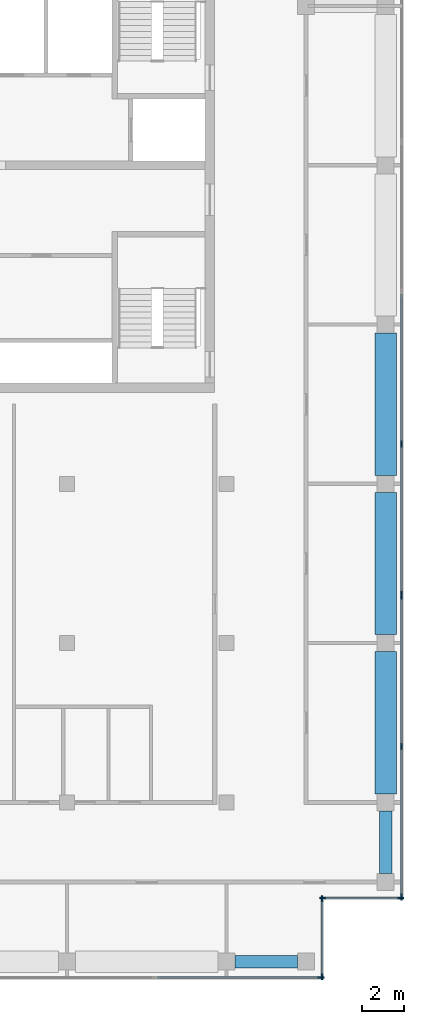
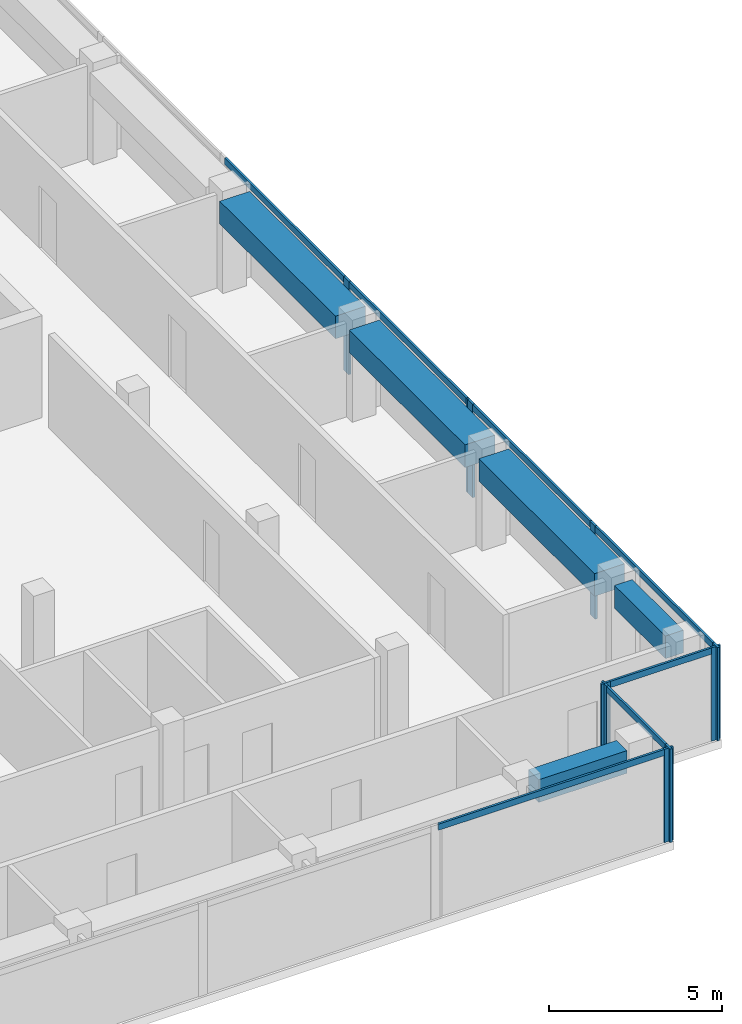
# One storey, part 3 of 9: 17 members, 5 beams, 5 elements without a shape of their own.
"""IFC4 building model written with IfcOpenShell, lengths in metres."""

from ifc_helpers import new_model, si_unit, direction, frame, origin, origin_2d, place, context, subcontext, project, spatial, rectangle, extrude, material, material_profile, profile_set, type_object, element, aggregate, save


model = new_model("IFC4")

# Units and contexts
model_context = context("Model", 3, precision=1e-05, world=origin(), true_north=direction((0.0, 1.0)))
body_context = subcontext(model_context, "Body", "Model", "MODEL_VIEW")
ifc_project = project(units=[si_unit("LENGTHUNIT", "METRE"), si_unit("AREAUNIT", "SQUARE_METRE"), si_unit("VOLUMEUNIT", "CUBIC_METRE"), si_unit("PLANEANGLEUNIT", "RADIAN"), si_unit("MASSUNIT", "GRAM", prefix="KILO")], contexts=[model_context])

# Site, building, storey
site_placement = place(None, origin())
site = spatial("IfcSite", under=ifc_project, at=site_placement, CompositionType="ELEMENT")
building_placement = place(site_placement, origin())
building = spatial("IfcBuilding", under=site, at=building_placement, Name="Pilkhan Gate Tower", CompositionType="ELEMENT")
storey_placement = place(building_placement, frame((0.0, 0.0, 262.10009765625)))
storey = spatial("IfcBuildingStorey", under=building, at=storey_placement, Name="L68", CompositionType="ELEMENT", Elevation=262.10009765625)

# Curtain wall, members
ifc_material_1 = material(Name="Pale anodised aluminium, clear low-iron double glazing", Category="aluminium")
curtain_wall_type = type_object("IfcCurtainWallType", Name="Crown unitised curtain wall CW-C", PredefinedType="USERDEFINED", material=ifc_material_1)
curtain_wall_1_placement = place(storey_placement, origin())
curtain_wall_1 = element("IfcCurtainWall", 1, at=curtain_wall_1_placement, inside=storey, type_object=curtain_wall_type, Name="Crown unitised curtain wall CW-C L68 E", ObjectType="UNITISED CURTAIN WALL", PredefinedType="USERDEFINED")
ifc_material_2 = material(Name="Pale anodised aluminium", Category="aluminium")
ifc_material_profile_1 = material_profile(ifc_material_2, rectangle(XDim=0.074951171875, YDim=0.300048828125, at=origin_2d()), Name="Mullion 300x75")
ifc_profile_set_1 = profile_set([ifc_material_profile_1], Name="Pale anodised aluminium")
member_type_1 = type_object("IfcMemberType", Name="Mullion CW-C 300x75", PredefinedType="MULLION", material=ifc_profile_set_1)
member_1_placement = place(storey_placement, frame((98.25, 48.03759765625, 0.0), z_axis=(0.0, 0.0, 1.0), x_axis=(-1.0, 0.0, 0.0)))
member_1 = element("IfcMember", 2, at=member_1_placement, type_object=member_type_1, Name="CW-C mullion 1", PredefinedType="MULLION", context=body_context, shape_type="SweptSolid", body=[
    extrude(rectangle(XDim=0.074951171875, YDim=0.300048828125, at=origin_2d()), origin(), (0.0, 0.0, 1.0), 3.2998046875),
])
member_2_placement = place(storey_placement, frame((98.25, 55.125, 0.0), z_axis=(0.0, 0.0, 1.0), x_axis=(-1.0, 0.0, 0.0)))
member_2 = element("IfcMember", 3, at=member_2_placement, type_object=member_type_1, Name="CW-C mullion 2", PredefinedType="MULLION", context=body_context, shape_type="SweptSolid", body=[
    extrude(rectangle(XDim=0.074951171875, YDim=0.300048828125, at=origin_2d()), origin(), (0.0, 0.0, 1.0), 3.2998046875),
])
member_3_placement = place(storey_placement, frame((98.25, 62.21240234375, 0.0), z_axis=(0.0, 0.0, 1.0), x_axis=(-1.0, 0.0, 0.0)))
member_3 = element("IfcMember", 4, at=member_3_placement, type_object=member_type_1, Name="CW-C mullion 3", PredefinedType="MULLION", context=body_context, shape_type="SweptSolid", body=[
    extrude(rectangle(XDim=0.074951171875, YDim=0.300048828125, at=origin_2d()), origin(), (0.0, 0.0, 1.0), 3.2998046875),
])

curtain_wall_2_placement = place(storey_placement, origin())
curtain_wall_2 = element("IfcCurtainWall", 5, at=curtain_wall_2_placement, inside=storey, type_object=curtain_wall_type, Name="Crown unitised curtain wall CW-C L68 E", ObjectType="UNITISED CURTAIN WALL", PredefinedType="USERDEFINED")
member_4_placement = place(storey_placement, frame((98.25, 62.28759765625, 0.0), z_axis=(0.0, 0.0, 1.0), x_axis=(-1.0, 0.0, 0.0)))
member_4 = element("IfcMember", 6, at=member_4_placement, type_object=member_type_1, Name="CW-C mullion 1", PredefinedType="MULLION", context=body_context, shape_type="SweptSolid", body=[
    extrude(rectangle(XDim=0.074951171875, YDim=0.300048828125, at=origin_2d()), origin(), (0.0, 0.0, 1.0), 3.2998046875),
])
member_5_placement = place(storey_placement, frame((98.25, 69.375, 0.0), z_axis=(0.0, 0.0, 1.0), x_axis=(-1.0, 0.0, 0.0)))
member_5 = element("IfcMember", 7, at=member_5_placement, type_object=member_type_1, Name="CW-C mullion 2", PredefinedType="MULLION", context=body_context, shape_type="SweptSolid", body=[
    extrude(rectangle(XDim=0.074951171875, YDim=0.300048828125, at=origin_2d()), origin(), (0.0, 0.0, 1.0), 3.2998046875),
])

# Curtain wall, member
curtain_wall_3_placement = place(storey_placement, origin())
curtain_wall_3 = element("IfcCurtainWall", 8, at=curtain_wall_3_placement, inside=storey, type_object=curtain_wall_type, Name="Crown unitised curtain wall CW-C L68 S", ObjectType="UNITISED CURTAIN WALL", PredefinedType="USERDEFINED")
member_6_placement = place(storey_placement, frame((94.46240234375, 44.25, 0.0), z_axis=(0.0, 0.0, 1.0), x_axis=(0.0, 1.0, 0.0)))
member_6 = element("IfcMember", 9, at=member_6_placement, type_object=member_type_1, Name="CW-C mullion 2", PredefinedType="MULLION", context=body_context, shape_type="SweptSolid", body=[
    extrude(rectangle(XDim=0.074951171875, YDim=0.300048828125, at=origin_2d()), origin(), (0.0, 0.0, 1.0), 3.2998046875),
])

# Curtain wall, members
curtain_wall_4_placement = place(storey_placement, origin())
curtain_wall_4 = element("IfcCurtainWall", 10, at=curtain_wall_4_placement, inside=storey, type_object=curtain_wall_type, Name="Crown unitised curtain wall CW-C L68 E", ObjectType="UNITISED CURTAIN WALL", PredefinedType="USERDEFINED")
member_7_placement = place(storey_placement, frame((94.5, 44.28759765625, 0.0), z_axis=(0.0, 0.0, 1.0), x_axis=(-1.0, 0.0, 0.0)))
member_7 = element("IfcMember", 11, at=member_7_placement, type_object=member_type_1, Name="CW-C mullion 1", PredefinedType="MULLION", context=body_context, shape_type="SweptSolid", body=[
    extrude(rectangle(XDim=0.074951171875, YDim=0.300048828125, at=origin_2d()), origin(), (0.0, 0.0, 1.0), 3.2998046875),
])
member_8_placement = place(storey_placement, frame((94.5, 47.96240234375, 0.0), z_axis=(0.0, 0.0, 1.0), x_axis=(-1.0, 0.0, 0.0)))
member_8 = element("IfcMember", 12, at=member_8_placement, type_object=member_type_1, Name="CW-C mullion 2", PredefinedType="MULLION", context=body_context, shape_type="SweptSolid", body=[
    extrude(rectangle(XDim=0.074951171875, YDim=0.300048828125, at=origin_2d()), origin(), (0.0, 0.0, 1.0), 3.2998046875),
])

curtain_wall_5_placement = place(storey_placement, origin())
curtain_wall_5 = element("IfcCurtainWall", 13, at=curtain_wall_5_placement, inside=storey, type_object=curtain_wall_type, Name="Crown unitised curtain wall CW-C L68 S", ObjectType="UNITISED CURTAIN WALL", PredefinedType="USERDEFINED")
member_9_placement = place(storey_placement, frame((94.53759765625, 48.0, 0.0), z_axis=(0.0, 0.0, 1.0), x_axis=(0.0, 1.0, 0.0)))
member_9 = element("IfcMember", 14, at=member_9_placement, type_object=member_type_1, Name="CW-C mullion 1", PredefinedType="MULLION", context=body_context, shape_type="SweptSolid", body=[
    extrude(rectangle(XDim=0.074951171875, YDim=0.300048828125, at=origin_2d()), origin(), (0.0, 0.0, 1.0), 3.2998046875),
])
member_10_placement = place(storey_placement, frame((98.21240234375, 48.0, 0.0), z_axis=(0.0, 0.0, 1.0), x_axis=(0.0, 1.0, 0.0)))
member_10 = element("IfcMember", 15, at=member_10_placement, type_object=member_type_1, Name="CW-C mullion 2", PredefinedType="MULLION", context=body_context, shape_type="SweptSolid", body=[
    extrude(rectangle(XDim=0.074951171875, YDim=0.300048828125, at=origin_2d()), origin(), (0.0, 0.0, 1.0), 3.2998046875),
])

# Beams
ifc_material_3 = material(Name="Concrete C50/60", Category="concrete")
ifc_material_profile_2 = material_profile(ifc_material_3, rectangle(XDim=0.60009765625, YDim=0.800048828125, at=origin_2d()), Name="RC 600x800")
ifc_profile_set_2 = profile_set([ifc_material_profile_2], Name="Concrete C50/60")
beam_type_1 = type_object("IfcBeamType", Name="Terrace edge beam TEB RC 600x800 C50/60", PredefinedType="BEAM", material=ifc_profile_set_2)
for number, where, z_axis, x_axis, name in (
    (16, (93.35009765625, 45.0, 2.89990234375), (-1.0, 0.0, 0.0), (0.0, -1.0, 0.0), "Terrace edge beam 1 L69"),
    (17, (97.5, 52.10009765625, 2.89990234375), (0.0, -1.0, 0.0), (1.0, 0.0, 0.0), "Terrace edge beam 22 L69"),
):
    element("IfcBeam", number, at=place(storey_placement, frame(where, z_axis=z_axis, x_axis=x_axis)), inside=storey, type_object=beam_type_1, Name=name, PredefinedType="BEAM", context=body_context, shape_type="SweptSolid", body=[
        extrude(rectangle(XDim=0.60009765625, YDim=0.800048828125, at=origin_2d()), origin(), (0.0, 0.0, 1.0), 2.9501953125),
    ])
ifc_material_profile_3 = material_profile(ifc_material_3, rectangle(XDim=1.0, YDim=0.800048828125, at=origin_2d()), Name="RC 1000x800")
ifc_profile_set_3 = profile_set([ifc_material_profile_3], Name="Concrete C50/60")
beam_type_2 = type_object("IfcBeamType", Name="Terrace edge beam TEB10W RC 1000x800 C50/60", PredefinedType="BEAM", material=ifc_profile_set_3)
for number, where, z_axis, x_axis, name in (
    (18, (97.5, 74.60009765625, 2.89990234375), (0.0, -1.0, 0.0), (1.0, 0.0, 0.0), "Terrace edge beam 19 L69"),
    (19, (97.5, 67.10009765625, 2.89990234375), (0.0, -1.0, 0.0), (1.0, 0.0, 0.0), "Terrace edge beam 20 L69"),
    (20, (97.5, 59.60009765625, 2.89990234375), (0.0, -1.0, 0.0), (1.0, 0.0, 0.0), "Terrace edge beam 21 L69"),
):
    element("IfcBeam", number, at=place(storey_placement, frame(where, z_axis=z_axis, x_axis=x_axis)), inside=storey, type_object=beam_type_2, Name=name, PredefinedType="BEAM", context=body_context, shape_type="SweptSolid", body=[
        extrude(rectangle(XDim=1.0, YDim=0.800048828125, at=origin_2d()), origin(), (0.0, 0.0, 1.0), 6.7001953125),
    ])

# Member
ifc_material_profile_4 = material_profile(ifc_material_2, rectangle(XDim=0.074951171875, YDim=0.219970703125, at=origin_2d()), Name="Transom 220x75")
ifc_profile_set_4 = profile_set([ifc_material_profile_4], Name="Pale anodised aluminium")
member_type_2 = type_object("IfcMemberType", Name="Transom CW-C 220x75", PredefinedType="USERDEFINED", material=ifc_profile_set_4)
member_11_placement = place(storey_placement, frame((98.25, 48.074951171875, 3.18994140625), z_axis=(0.0, 1.0, 0.0), x_axis=(-1.0, 0.0, 0.0)))
member_11 = element("IfcMember", 21, at=member_11_placement, type_object=member_type_2, Name="CW-C transom 1", ObjectType="TRANSOM", PredefinedType="USERDEFINED", context=body_context, shape_type="SweptSolid", body=[
    extrude(rectangle(XDim=0.074951171875, YDim=0.219970703125, at=origin_2d()), origin(), (0.0, 0.0, 1.0), 7.012451171875),
])

member_12_placement = place(storey_placement, frame((98.25, 55.16259765625, 3.18994140625), z_axis=(0.0, 1.0, 0.0), x_axis=(-1.0, 0.0, 0.0)))
member_12 = element("IfcMember", 22, at=member_12_placement, type_object=member_type_2, Name="CW-C transom 2", ObjectType="TRANSOM", PredefinedType="USERDEFINED", context=body_context, shape_type="SweptSolid", body=[
    extrude(rectangle(XDim=0.074951171875, YDim=0.219970703125, at=origin_2d()), origin(), (0.0, 0.0, 1.0), 7.012451171875),
])

aggregate(curtain_wall_1, [member_1, member_2, member_3, member_11, member_12])

member_13_placement = place(storey_placement, frame((98.25, 62.324951171875, 3.18994140625), z_axis=(0.0, 1.0, 0.0), x_axis=(-1.0, 0.0, 0.0)))
member_13 = element("IfcMember", 23, at=member_13_placement, type_object=member_type_2, Name="CW-C transom 1", ObjectType="TRANSOM", PredefinedType="USERDEFINED", context=body_context, shape_type="SweptSolid", body=[
    extrude(rectangle(XDim=0.074951171875, YDim=0.219970703125, at=origin_2d()), origin(), (0.0, 0.0, 1.0), 7.012451171875),
])

member_14_placement = place(storey_placement, frame((98.25, 69.41259765625, 3.18994140625), z_axis=(0.0, 1.0, 0.0), x_axis=(-1.0, 0.0, 0.0)))
member_14 = element("IfcMember", 24, at=member_14_placement, type_object=member_type_2, Name="CW-C transom 2", ObjectType="TRANSOM", PredefinedType="USERDEFINED", context=body_context, shape_type="SweptSolid", body=[
    extrude(rectangle(XDim=0.074951171875, YDim=0.219970703125, at=origin_2d()), origin(), (0.0, 0.0, 1.0), 7.012451171875),
])

aggregate(curtain_wall_2, [member_4, member_5, member_13, member_14])

member_15_placement = place(storey_placement, frame((86.77490234375, 44.25, 3.18994140625), z_axis=(1.0, 0.0, 0.0), x_axis=(0.0, 1.0, 0.0)))
member_15 = element("IfcMember", 25, at=member_15_placement, type_object=member_type_2, Name="CW-C transom 1", ObjectType="TRANSOM", PredefinedType="USERDEFINED", context=body_context, shape_type="SweptSolid", body=[
    extrude(rectangle(XDim=0.074951171875, YDim=0.219970703125, at=origin_2d()), origin(), (0.0, 0.0, 1.0), 7.650146484375),
])

aggregate(curtain_wall_3, [member_6, member_15])

member_16_placement = place(storey_placement, frame((94.5, 44.324951171875, 3.18994140625), z_axis=(0.0, 1.0, 0.0), x_axis=(-1.0, 0.0, 0.0)))
member_16 = element("IfcMember", 26, at=member_16_placement, type_object=member_type_2, Name="CW-C transom 1", ObjectType="TRANSOM", PredefinedType="USERDEFINED", context=body_context, shape_type="SweptSolid", body=[
    extrude(rectangle(XDim=0.074951171875, YDim=0.219970703125, at=origin_2d()), origin(), (0.0, 0.0, 1.0), 3.60009765625),
])

aggregate(curtain_wall_4, [member_7, member_8, member_16])

member_17_placement = place(storey_placement, frame((94.574951171875, 48.0, 3.18994140625), z_axis=(1.0, 0.0, 0.0), x_axis=(0.0, 1.0, 0.0)))
member_17 = element("IfcMember", 27, at=member_17_placement, type_object=member_type_2, Name="CW-C transom 1", ObjectType="TRANSOM", PredefinedType="USERDEFINED", context=body_context, shape_type="SweptSolid", body=[
    extrude(rectangle(XDim=0.074951171875, YDim=0.219970703125, at=origin_2d()), origin(), (0.0, 0.0, 1.0), 3.60009765625),
])

aggregate(curtain_wall_5, [member_9, member_10, member_17])

save(model, "model.ifc")
